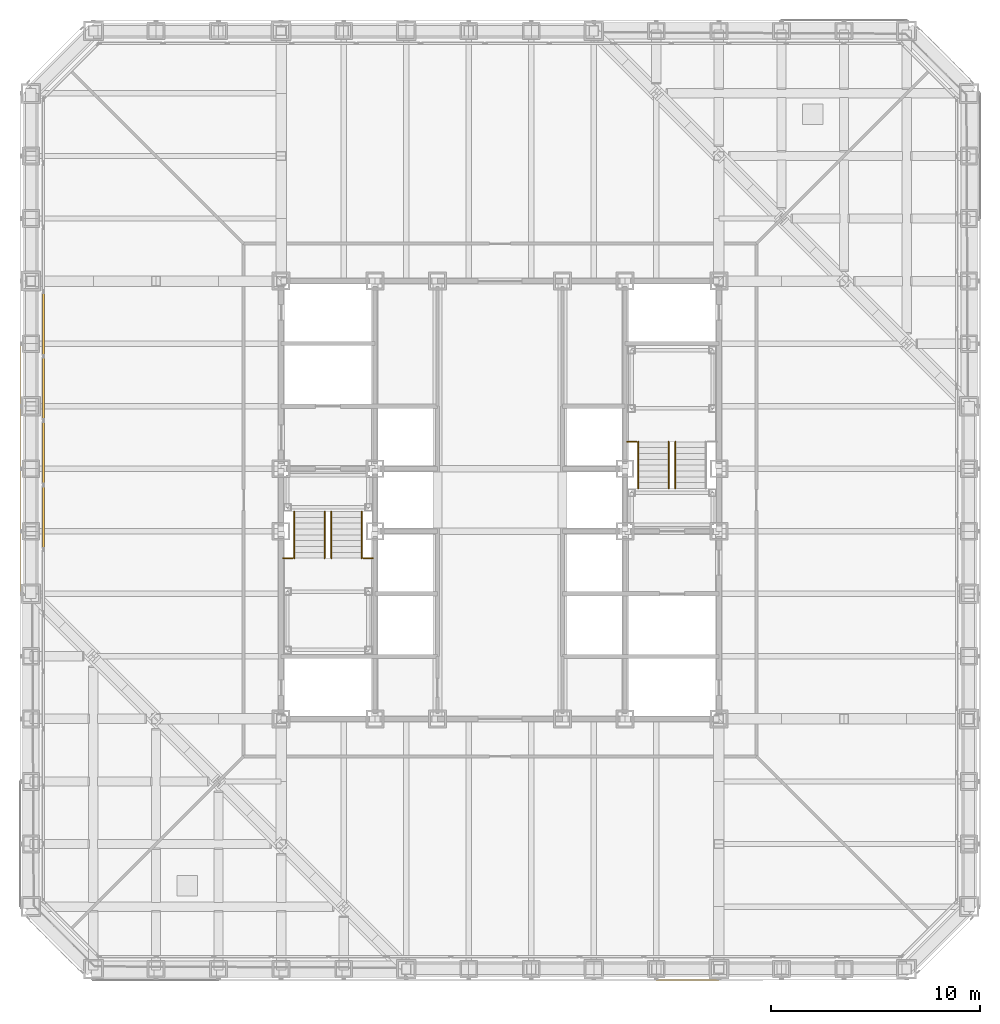
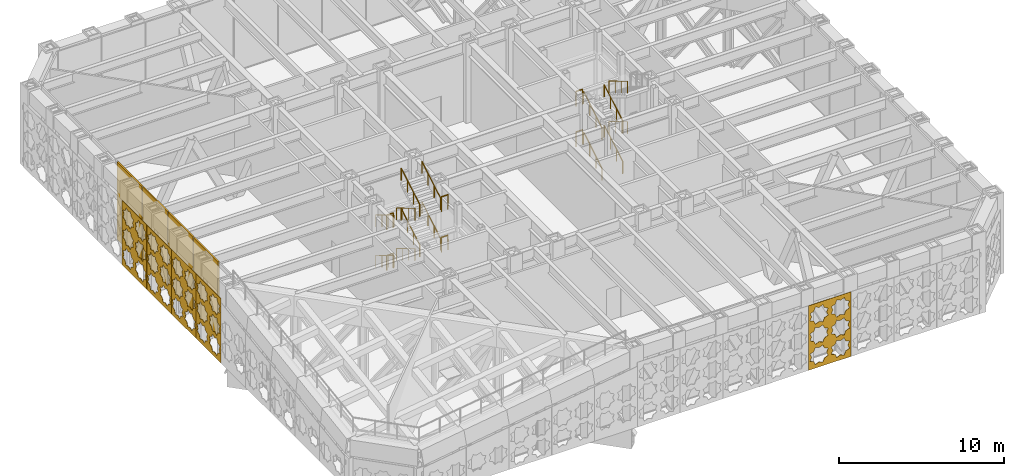
# One storey, part 25 of 31: 20 railings, 5 coverings, 4 shading devices, 1 element without a shape of its own.
"""IFC4 building model written with IfcOpenShell, lengths in metres."""

from ifc_helpers import new_model, si_unit, direction, frame, origin, origin_2d, place, context, subcontext, project, spatial, polyline, rectangle, circle, outline, extrude, material, layer, layer_set, type_object, element, aggregate, save


model = new_model("IFC4")

# Units and contexts
model_context = context("Model", 3, precision=1e-05, world=origin(), true_north=direction((0.0, 1.0)))
body_context = subcontext(model_context, "Body", "Model", "MODEL_VIEW")
ifc_project = project(units=[si_unit("LENGTHUNIT", "METRE"), si_unit("AREAUNIT", "SQUARE_METRE"), si_unit("VOLUMEUNIT", "CUBIC_METRE"), si_unit("PLANEANGLEUNIT", "RADIAN"), si_unit("MASSUNIT", "GRAM", prefix="KILO")], contexts=[model_context])

# Site, building, storey
site_placement = place(None, origin())
site = spatial("IfcSite", under=ifc_project, at=site_placement, CompositionType="ELEMENT")
building_placement = place(site_placement, origin())
building = spatial("IfcBuilding", under=site, at=building_placement, Name="Chuquiago Exchange Tower", CompositionType="ELEMENT")
storey_placement = place(building_placement, frame((0.0, 0.0, 96.300048828125)))
storey = spatial("IfcBuildingStorey", under=building, at=storey_placement, Name="L20", CompositionType="ELEMENT", Elevation=96.300048828125)

# Curtain wall, shading devices
ifc_material_1 = material(Name="Aluminium curtain wall system", Category="aluminium")
ifc_layer_1 = layer(ifc_material_1, 0.199951171875)
ifc_layer_set_1 = layer_set([ifc_layer_1], Name="CW6 plant floor louvre wall")
curtain_wall_type = type_object("IfcCurtainWallType", Name="CW6 plant floor louvre wall", PredefinedType="NOTDEFINED", material=ifc_layer_set_1)
curtain_wall_placement = place(storey_placement, origin())
curtain_wall = element("IfcCurtainWall", 1, at=curtain_wall_placement, inside=storey, type_object=curtain_wall_type, Name="CW6 curtain wall L20", PredefinedType="NOTDEFINED")
ifc_material_2 = material(Name="Aluminium louvre", Category="aluminium")
ifc_layer_2 = layer(ifc_material_2, 0.10009765625)
ifc_layer_set_2 = layer_set([ifc_layer_2], Name="CW6-P louvre panel 100")
shading_device_type = type_object("IfcShadingDeviceType", Name="CW6-P louvre panel 100", PredefinedType="USERDEFINED", material=ifc_layer_set_2)
shading_device_1_placement = place(storey_placement, frame((0.60009765625, 30.943115234375, 0.0751953125), z_axis=(0.0, 0.0, 1.0), x_axis=(0.0, -1.0, 0.0)))
shading_device_1 = element("IfcShadingDevice", 2, at=shading_device_1_placement, type_object=shading_device_type, Name="CW6 panel 4.1", ObjectType="LOUVER", PredefinedType="USERDEFINED", context=body_context, shape_type="SweptSolid", body=[
    extrude(rectangle(XDim=3.01318359375, YDim=0.10009765625, at=origin_2d()), origin(), (0.0, 0.0, 1.0), 5.764892578125),
])
shading_device_2_placement = place(storey_placement, frame((0.60009765625, 27.85498046875, 0.0751953125), z_axis=(0.0, 0.0, 1.0), x_axis=(0.0, -1.0, 0.0)))
shading_device_2 = element("IfcShadingDevice", 3, at=shading_device_2_placement, type_object=shading_device_type, Name="CW6 panel 5.1", ObjectType="LOUVER", PredefinedType="USERDEFINED", context=body_context, shape_type="SweptSolid", body=[
    extrude(rectangle(XDim=3.01318359375, YDim=0.10009765625, at=origin_2d()), origin(), (0.0, 0.0, 1.0), 5.764892578125),
])
shading_device_3_placement = place(storey_placement, frame((0.60009765625, 24.766845703125, 0.0751953125), z_axis=(0.0, 0.0, 1.0), x_axis=(0.0, -1.0, 0.0)))
shading_device_3 = element("IfcShadingDevice", 4, at=shading_device_3_placement, type_object=shading_device_type, Name="CW6 panel 6.1", ObjectType="LOUVER", PredefinedType="USERDEFINED", context=body_context, shape_type="SweptSolid", body=[
    extrude(rectangle(XDim=3.01318359375, YDim=0.10009765625, at=origin_2d()), origin(), (0.0, 0.0, 1.0), 5.764892578125),
])
shading_device_4_placement = place(storey_placement, frame((0.60009765625, 21.6787109375, 0.0751953125), z_axis=(0.0, 0.0, 1.0), x_axis=(0.0, -1.0, 0.0)))
shading_device_4 = element("IfcShadingDevice", 5, at=shading_device_4_placement, type_object=shading_device_type, Name="CW6 panel 7.1", ObjectType="LOUVER", PredefinedType="USERDEFINED", context=body_context, shape_type="SweptSolid", body=[
    extrude(rectangle(XDim=3.01318359375, YDim=0.10009765625, at=origin_2d()), origin(), (0.0, 0.0, 1.0), 5.764892578125),
])
aggregate(curtain_wall, [shading_device_1, shading_device_2, shading_device_3, shading_device_4])

# Coverings
ifc_material_3 = material(Name="Anodised aluminium, pale", Category="aluminium")
ifc_layer_3 = layer(ifc_material_3, 0.02001953125)
ifc_layer_set_3 = layer_set([ifc_layer_3], Name="GC1 girih cladding panel 20")
covering_type = type_object("IfcCoveringType", Name="GC1 girih cladding panel 20", PredefinedType="CLADDING", material=ifc_layer_set_3)
covering_1_placement = place(storey_placement, frame((30.0048828125, -0.5, 0.050048828125), z_axis=(0.0, 0.0, 1.0), x_axis=(1.0, 0.0, 0.0)))
element("IfcCovering", 6, at=covering_1_placement, inside=storey, type_object=covering_type, Name="Girih cladding panel L20 S 10", PredefinedType="CLADDING", context=body_context, shape_type="SweptSolid", body=[
    extrude(outline(polyline([(0.0, 0.0), (2.989990234375, 0.0), (2.989990234375, 4.789794921875), (0.0, 4.789794921875), (0.0, 0.0)]), holes=[polyline([(1.27392578125, 0.89990234375), (1.3828125, 1.1630859375), (1.11962890625, 1.272216796875), (1.0107421875, 1.535400390625), (0.74755859375, 1.42626953125), (0.484375, 1.535400390625), (0.375244140625, 1.272216796875), (0.112060546875, 1.1630859375), (0.22119140625, 0.89990234375), (0.112060546875, 0.63671875), (0.375244140625, 0.527587890625), (0.484375, 0.264404296875), (0.74755859375, 0.37353515625), (1.0107421875, 0.264404296875), (1.11962890625, 0.527587890625), (1.3828125, 0.63671875), (1.27392578125, 0.89990234375)]), polyline([(2.768798828125, 0.89990234375), (2.8779296875, 1.1630859375), (2.61474609375, 1.272216796875), (2.505615234375, 1.535400390625), (2.242431640625, 1.42626953125), (1.979248046875, 1.535400390625), (1.870361328125, 1.272216796875), (1.607177734375, 1.1630859375), (1.716064453125, 0.89990234375), (1.607177734375, 0.63671875), (1.870361328125, 0.527587890625), (1.979248046875, 0.264404296875), (2.242431640625, 0.37353515625), (2.505615234375, 0.264404296875), (2.61474609375, 0.527587890625), (2.8779296875, 0.63671875), (2.768798828125, 0.89990234375)]), polyline([(1.27392578125, 2.39501953125), (1.3828125, 2.658203125), (1.11962890625, 2.76708984375), (1.0107421875, 3.0302734375), (0.74755859375, 2.92138671875), (0.484375, 3.0302734375), (0.375244140625, 2.76708984375), (0.112060546875, 2.658203125), (0.22119140625, 2.39501953125), (0.112060546875, 2.131591796875), (0.375244140625, 2.022705078125), (0.484375, 1.759521484375), (0.74755859375, 1.868408203125), (1.0107421875, 1.759521484375), (1.11962890625, 2.022705078125), (1.3828125, 2.131591796875), (1.27392578125, 2.39501953125)]), polyline([(2.768798828125, 2.39501953125), (2.8779296875, 2.658203125), (2.61474609375, 2.76708984375), (2.505615234375, 3.0302734375), (2.242431640625, 2.92138671875), (1.979248046875, 3.0302734375), (1.870361328125, 2.76708984375), (1.607177734375, 2.658203125), (1.716064453125, 2.39501953125), (1.607177734375, 2.131591796875), (1.870361328125, 2.022705078125), (1.979248046875, 1.759521484375), (2.242431640625, 1.868408203125), (2.505615234375, 1.759521484375), (2.61474609375, 2.022705078125), (2.8779296875, 2.131591796875), (2.768798828125, 2.39501953125)]), polyline([(1.27392578125, 3.889892578125), (1.3828125, 4.153076171875), (1.11962890625, 4.26220703125), (1.0107421875, 4.525390625), (0.74755859375, 4.416259765625), (0.484375, 4.525390625), (0.375244140625, 4.26220703125), (0.112060546875, 4.153076171875), (0.22119140625, 3.889892578125), (0.112060546875, 3.626708984375), (0.375244140625, 3.517822265625), (0.484375, 3.25439453125), (0.74755859375, 3.363525390625), (1.0107421875, 3.25439453125), (1.11962890625, 3.517822265625), (1.3828125, 3.626708984375), (1.27392578125, 3.889892578125)]), polyline([(2.768798828125, 3.889892578125), (2.8779296875, 4.153076171875), (2.61474609375, 4.26220703125), (2.505615234375, 4.525390625), (2.242431640625, 4.416259765625), (1.979248046875, 4.525390625), (1.870361328125, 4.26220703125), (1.607177734375, 4.153076171875), (1.716064453125, 3.889892578125), (1.607177734375, 3.626708984375), (1.870361328125, 3.517822265625), (1.979248046875, 3.25439453125), (2.242431640625, 3.363525390625), (2.505615234375, 3.25439453125), (2.61474609375, 3.517822265625), (2.8779296875, 3.626708984375), (2.768798828125, 3.889892578125)])]), frame((0.0, 0.0, 0.0), z_axis=(0.0, -1.0, 0.0), x_axis=(1.0, 0.0, 0.0)), (0.0, 0.0, 1.0), 0.02001953125),
])
covering_2_placement = place(storey_placement, frame((-0.5, 29.9951171875, 0.050048828125), z_axis=(0.0, 0.0, 1.0), x_axis=(0.0, -1.0, 0.0)))
element("IfcCovering", 7, at=covering_2_placement, inside=storey, type_object=covering_type, Name="Girih cladding panel L20 W 5", PredefinedType="CLADDING", context=body_context, shape_type="SweptSolid", body=[
    extrude(outline(polyline([(0.0, 0.0), (2.989990234375, 0.0), (2.989990234375, 4.789794921875), (0.0, 4.789794921875), (0.0, 0.0)]), holes=[polyline([(1.27392578125, 0.89990234375), (1.3828125, 1.1630859375), (1.11962890625, 1.272216796875), (1.0107421875, 1.535400390625), (0.74755859375, 1.42626953125), (0.484375, 1.535400390625), (0.375244140625, 1.272216796875), (0.112060546875, 1.1630859375), (0.22119140625, 0.89990234375), (0.112060546875, 0.63671875), (0.375244140625, 0.527587890625), (0.484375, 0.264404296875), (0.74755859375, 0.37353515625), (1.0107421875, 0.264404296875), (1.11962890625, 0.527587890625), (1.3828125, 0.63671875), (1.27392578125, 0.89990234375)]), polyline([(2.768798828125, 0.89990234375), (2.8779296875, 1.1630859375), (2.61474609375, 1.272216796875), (2.505615234375, 1.535400390625), (2.242431640625, 1.42626953125), (1.979248046875, 1.535400390625), (1.870361328125, 1.272216796875), (1.607177734375, 1.1630859375), (1.716064453125, 0.89990234375), (1.607177734375, 0.63671875), (1.870361328125, 0.527587890625), (1.979248046875, 0.264404296875), (2.242431640625, 0.37353515625), (2.505615234375, 0.264404296875), (2.61474609375, 0.527587890625), (2.8779296875, 0.63671875), (2.768798828125, 0.89990234375)]), polyline([(1.27392578125, 2.39501953125), (1.3828125, 2.658203125), (1.11962890625, 2.76708984375), (1.0107421875, 3.0302734375), (0.74755859375, 2.92138671875), (0.484375, 3.0302734375), (0.375244140625, 2.76708984375), (0.112060546875, 2.658203125), (0.22119140625, 2.39501953125), (0.112060546875, 2.131591796875), (0.375244140625, 2.022705078125), (0.484375, 1.759521484375), (0.74755859375, 1.868408203125), (1.0107421875, 1.759521484375), (1.11962890625, 2.022705078125), (1.3828125, 2.131591796875), (1.27392578125, 2.39501953125)]), polyline([(2.768798828125, 2.39501953125), (2.8779296875, 2.658203125), (2.61474609375, 2.76708984375), (2.505615234375, 3.0302734375), (2.242431640625, 2.92138671875), (1.979248046875, 3.0302734375), (1.870361328125, 2.76708984375), (1.607177734375, 2.658203125), (1.716064453125, 2.39501953125), (1.607177734375, 2.131591796875), (1.870361328125, 2.022705078125), (1.979248046875, 1.759521484375), (2.242431640625, 1.868408203125), (2.505615234375, 1.759521484375), (2.61474609375, 2.022705078125), (2.8779296875, 2.131591796875), (2.768798828125, 2.39501953125)]), polyline([(1.27392578125, 3.889892578125), (1.3828125, 4.153076171875), (1.11962890625, 4.26220703125), (1.0107421875, 4.525390625), (0.74755859375, 4.416259765625), (0.484375, 4.525390625), (0.375244140625, 4.26220703125), (0.112060546875, 4.153076171875), (0.22119140625, 3.889892578125), (0.112060546875, 3.626708984375), (0.375244140625, 3.517822265625), (0.484375, 3.25439453125), (0.74755859375, 3.363525390625), (1.0107421875, 3.25439453125), (1.11962890625, 3.517822265625), (1.3828125, 3.626708984375), (1.27392578125, 3.889892578125)]), polyline([(2.768798828125, 3.889892578125), (2.8779296875, 4.153076171875), (2.61474609375, 4.26220703125), (2.505615234375, 4.525390625), (2.242431640625, 4.416259765625), (1.979248046875, 4.525390625), (1.870361328125, 4.26220703125), (1.607177734375, 4.153076171875), (1.716064453125, 3.889892578125), (1.607177734375, 3.626708984375), (1.870361328125, 3.517822265625), (1.979248046875, 3.25439453125), (2.242431640625, 3.363525390625), (2.505615234375, 3.25439453125), (2.61474609375, 3.517822265625), (2.8779296875, 3.626708984375), (2.768798828125, 3.889892578125)])]), frame((0.0, 0.0, 0.0), z_axis=(0.0, -1.0, 0.0), x_axis=(1.0, 0.0, 0.0)), (0.0, 0.0, 1.0), 0.02001953125),
])
covering_3_placement = place(storey_placement, frame((-0.5, 26.9951171875, 0.050048828125), z_axis=(0.0, 0.0, 1.0), x_axis=(0.0, -1.0, 0.0)))
element("IfcCovering", 8, at=covering_3_placement, inside=storey, type_object=covering_type, Name="Girih cladding panel L20 W 6", PredefinedType="CLADDING", context=body_context, shape_type="SweptSolid", body=[
    extrude(outline(polyline([(0.0, 0.0), (2.989990234375, 0.0), (2.989990234375, 4.789794921875), (0.0, 4.789794921875), (0.0, 0.0)]), holes=[polyline([(1.27392578125, 0.89990234375), (1.3828125, 1.1630859375), (1.11962890625, 1.272216796875), (1.0107421875, 1.535400390625), (0.74755859375, 1.42626953125), (0.484375, 1.535400390625), (0.375244140625, 1.272216796875), (0.112060546875, 1.1630859375), (0.22119140625, 0.89990234375), (0.112060546875, 0.63671875), (0.375244140625, 0.527587890625), (0.484375, 0.264404296875), (0.74755859375, 0.37353515625), (1.0107421875, 0.264404296875), (1.11962890625, 0.527587890625), (1.3828125, 0.63671875), (1.27392578125, 0.89990234375)]), polyline([(2.768798828125, 0.89990234375), (2.8779296875, 1.1630859375), (2.61474609375, 1.272216796875), (2.505615234375, 1.535400390625), (2.242431640625, 1.42626953125), (1.979248046875, 1.535400390625), (1.870361328125, 1.272216796875), (1.607177734375, 1.1630859375), (1.716064453125, 0.89990234375), (1.607177734375, 0.63671875), (1.870361328125, 0.527587890625), (1.979248046875, 0.264404296875), (2.242431640625, 0.37353515625), (2.505615234375, 0.264404296875), (2.61474609375, 0.527587890625), (2.8779296875, 0.63671875), (2.768798828125, 0.89990234375)]), polyline([(1.27392578125, 2.39501953125), (1.3828125, 2.658203125), (1.11962890625, 2.76708984375), (1.0107421875, 3.0302734375), (0.74755859375, 2.92138671875), (0.484375, 3.0302734375), (0.375244140625, 2.76708984375), (0.112060546875, 2.658203125), (0.22119140625, 2.39501953125), (0.112060546875, 2.131591796875), (0.375244140625, 2.022705078125), (0.484375, 1.759521484375), (0.74755859375, 1.868408203125), (1.0107421875, 1.759521484375), (1.11962890625, 2.022705078125), (1.3828125, 2.131591796875), (1.27392578125, 2.39501953125)]), polyline([(2.768798828125, 2.39501953125), (2.8779296875, 2.658203125), (2.61474609375, 2.76708984375), (2.505615234375, 3.0302734375), (2.242431640625, 2.92138671875), (1.979248046875, 3.0302734375), (1.870361328125, 2.76708984375), (1.607177734375, 2.658203125), (1.716064453125, 2.39501953125), (1.607177734375, 2.131591796875), (1.870361328125, 2.022705078125), (1.979248046875, 1.759521484375), (2.242431640625, 1.868408203125), (2.505615234375, 1.759521484375), (2.61474609375, 2.022705078125), (2.8779296875, 2.131591796875), (2.768798828125, 2.39501953125)]), polyline([(1.27392578125, 3.889892578125), (1.3828125, 4.153076171875), (1.11962890625, 4.26220703125), (1.0107421875, 4.525390625), (0.74755859375, 4.416259765625), (0.484375, 4.525390625), (0.375244140625, 4.26220703125), (0.112060546875, 4.153076171875), (0.22119140625, 3.889892578125), (0.112060546875, 3.626708984375), (0.375244140625, 3.517822265625), (0.484375, 3.25439453125), (0.74755859375, 3.363525390625), (1.0107421875, 3.25439453125), (1.11962890625, 3.517822265625), (1.3828125, 3.626708984375), (1.27392578125, 3.889892578125)]), polyline([(2.768798828125, 3.889892578125), (2.8779296875, 4.153076171875), (2.61474609375, 4.26220703125), (2.505615234375, 4.525390625), (2.242431640625, 4.416259765625), (1.979248046875, 4.525390625), (1.870361328125, 4.26220703125), (1.607177734375, 4.153076171875), (1.716064453125, 3.889892578125), (1.607177734375, 3.626708984375), (1.870361328125, 3.517822265625), (1.979248046875, 3.25439453125), (2.242431640625, 3.363525390625), (2.505615234375, 3.25439453125), (2.61474609375, 3.517822265625), (2.8779296875, 3.626708984375), (2.768798828125, 3.889892578125)])]), frame((0.0, 0.0, 0.0), z_axis=(0.0, -1.0, 0.0), x_axis=(1.0, 0.0, 0.0)), (0.0, 0.0, 1.0), 0.02001953125),
])
covering_4_placement = place(storey_placement, frame((-0.5, 23.9951171875, 0.050048828125), z_axis=(0.0, 0.0, 1.0), x_axis=(0.0, -1.0, 0.0)))
element("IfcCovering", 9, at=covering_4_placement, inside=storey, type_object=covering_type, Name="Girih cladding panel L20 W 7", PredefinedType="CLADDING", context=body_context, shape_type="SweptSolid", body=[
    extrude(outline(polyline([(0.0, 0.0), (2.989990234375, 0.0), (2.989990234375, 4.789794921875), (0.0, 4.789794921875), (0.0, 0.0)]), holes=[polyline([(1.27392578125, 0.89990234375), (1.3828125, 1.1630859375), (1.11962890625, 1.272216796875), (1.0107421875, 1.535400390625), (0.74755859375, 1.42626953125), (0.484375, 1.535400390625), (0.375244140625, 1.272216796875), (0.112060546875, 1.1630859375), (0.22119140625, 0.89990234375), (0.112060546875, 0.63671875), (0.375244140625, 0.527587890625), (0.484375, 0.264404296875), (0.74755859375, 0.37353515625), (1.0107421875, 0.264404296875), (1.11962890625, 0.527587890625), (1.3828125, 0.63671875), (1.27392578125, 0.89990234375)]), polyline([(2.768798828125, 0.89990234375), (2.8779296875, 1.1630859375), (2.61474609375, 1.272216796875), (2.505615234375, 1.535400390625), (2.242431640625, 1.42626953125), (1.979248046875, 1.535400390625), (1.870361328125, 1.272216796875), (1.607177734375, 1.1630859375), (1.716064453125, 0.89990234375), (1.607177734375, 0.63671875), (1.870361328125, 0.527587890625), (1.979248046875, 0.264404296875), (2.242431640625, 0.37353515625), (2.505615234375, 0.264404296875), (2.61474609375, 0.527587890625), (2.8779296875, 0.63671875), (2.768798828125, 0.89990234375)]), polyline([(1.27392578125, 2.39501953125), (1.3828125, 2.658203125), (1.11962890625, 2.76708984375), (1.0107421875, 3.0302734375), (0.74755859375, 2.92138671875), (0.484375, 3.0302734375), (0.375244140625, 2.76708984375), (0.112060546875, 2.658203125), (0.22119140625, 2.39501953125), (0.112060546875, 2.131591796875), (0.375244140625, 2.022705078125), (0.484375, 1.759521484375), (0.74755859375, 1.868408203125), (1.0107421875, 1.759521484375), (1.11962890625, 2.022705078125), (1.3828125, 2.131591796875), (1.27392578125, 2.39501953125)]), polyline([(2.768798828125, 2.39501953125), (2.8779296875, 2.658203125), (2.61474609375, 2.76708984375), (2.505615234375, 3.0302734375), (2.242431640625, 2.92138671875), (1.979248046875, 3.0302734375), (1.870361328125, 2.76708984375), (1.607177734375, 2.658203125), (1.716064453125, 2.39501953125), (1.607177734375, 2.131591796875), (1.870361328125, 2.022705078125), (1.979248046875, 1.759521484375), (2.242431640625, 1.868408203125), (2.505615234375, 1.759521484375), (2.61474609375, 2.022705078125), (2.8779296875, 2.131591796875), (2.768798828125, 2.39501953125)]), polyline([(1.27392578125, 3.889892578125), (1.3828125, 4.153076171875), (1.11962890625, 4.26220703125), (1.0107421875, 4.525390625), (0.74755859375, 4.416259765625), (0.484375, 4.525390625), (0.375244140625, 4.26220703125), (0.112060546875, 4.153076171875), (0.22119140625, 3.889892578125), (0.112060546875, 3.626708984375), (0.375244140625, 3.517822265625), (0.484375, 3.25439453125), (0.74755859375, 3.363525390625), (1.0107421875, 3.25439453125), (1.11962890625, 3.517822265625), (1.3828125, 3.626708984375), (1.27392578125, 3.889892578125)]), polyline([(2.768798828125, 3.889892578125), (2.8779296875, 4.153076171875), (2.61474609375, 4.26220703125), (2.505615234375, 4.525390625), (2.242431640625, 4.416259765625), (1.979248046875, 4.525390625), (1.870361328125, 4.26220703125), (1.607177734375, 4.153076171875), (1.716064453125, 3.889892578125), (1.607177734375, 3.626708984375), (1.870361328125, 3.517822265625), (1.979248046875, 3.25439453125), (2.242431640625, 3.363525390625), (2.505615234375, 3.25439453125), (2.61474609375, 3.517822265625), (2.8779296875, 3.626708984375), (2.768798828125, 3.889892578125)])]), frame((0.0, 0.0, 0.0), z_axis=(0.0, -1.0, 0.0), x_axis=(1.0, 0.0, 0.0)), (0.0, 0.0, 1.0), 0.02001953125),
])
covering_5_placement = place(storey_placement, frame((-0.5, 20.9951171875, 0.050048828125), z_axis=(0.0, 0.0, 1.0), x_axis=(0.0, -1.0, 0.0)))
element("IfcCovering", 10, at=covering_5_placement, inside=storey, type_object=covering_type, Name="Girih cladding panel L20 W 8", PredefinedType="CLADDING", context=body_context, shape_type="SweptSolid", body=[
    extrude(outline(polyline([(0.0, 0.0), (2.989990234375, 0.0), (2.989990234375, 4.789794921875), (0.0, 4.789794921875), (0.0, 0.0)]), holes=[polyline([(1.27392578125, 0.89990234375), (1.3828125, 1.1630859375), (1.11962890625, 1.272216796875), (1.0107421875, 1.535400390625), (0.74755859375, 1.42626953125), (0.484375, 1.535400390625), (0.375244140625, 1.272216796875), (0.112060546875, 1.1630859375), (0.22119140625, 0.89990234375), (0.112060546875, 0.63671875), (0.375244140625, 0.527587890625), (0.484375, 0.264404296875), (0.74755859375, 0.37353515625), (1.0107421875, 0.264404296875), (1.11962890625, 0.527587890625), (1.3828125, 0.63671875), (1.27392578125, 0.89990234375)]), polyline([(2.768798828125, 0.89990234375), (2.8779296875, 1.1630859375), (2.61474609375, 1.272216796875), (2.505615234375, 1.535400390625), (2.242431640625, 1.42626953125), (1.979248046875, 1.535400390625), (1.870361328125, 1.272216796875), (1.607177734375, 1.1630859375), (1.716064453125, 0.89990234375), (1.607177734375, 0.63671875), (1.870361328125, 0.527587890625), (1.979248046875, 0.264404296875), (2.242431640625, 0.37353515625), (2.505615234375, 0.264404296875), (2.61474609375, 0.527587890625), (2.8779296875, 0.63671875), (2.768798828125, 0.89990234375)]), polyline([(1.27392578125, 2.39501953125), (1.3828125, 2.658203125), (1.11962890625, 2.76708984375), (1.0107421875, 3.0302734375), (0.74755859375, 2.92138671875), (0.484375, 3.0302734375), (0.375244140625, 2.76708984375), (0.112060546875, 2.658203125), (0.22119140625, 2.39501953125), (0.112060546875, 2.131591796875), (0.375244140625, 2.022705078125), (0.484375, 1.759521484375), (0.74755859375, 1.868408203125), (1.0107421875, 1.759521484375), (1.11962890625, 2.022705078125), (1.3828125, 2.131591796875), (1.27392578125, 2.39501953125)]), polyline([(2.768798828125, 2.39501953125), (2.8779296875, 2.658203125), (2.61474609375, 2.76708984375), (2.505615234375, 3.0302734375), (2.242431640625, 2.92138671875), (1.979248046875, 3.0302734375), (1.870361328125, 2.76708984375), (1.607177734375, 2.658203125), (1.716064453125, 2.39501953125), (1.607177734375, 2.131591796875), (1.870361328125, 2.022705078125), (1.979248046875, 1.759521484375), (2.242431640625, 1.868408203125), (2.505615234375, 1.759521484375), (2.61474609375, 2.022705078125), (2.8779296875, 2.131591796875), (2.768798828125, 2.39501953125)]), polyline([(1.27392578125, 3.889892578125), (1.3828125, 4.153076171875), (1.11962890625, 4.26220703125), (1.0107421875, 4.525390625), (0.74755859375, 4.416259765625), (0.484375, 4.525390625), (0.375244140625, 4.26220703125), (0.112060546875, 4.153076171875), (0.22119140625, 3.889892578125), (0.112060546875, 3.626708984375), (0.375244140625, 3.517822265625), (0.484375, 3.25439453125), (0.74755859375, 3.363525390625), (1.0107421875, 3.25439453125), (1.11962890625, 3.517822265625), (1.3828125, 3.626708984375), (1.27392578125, 3.889892578125)]), polyline([(2.768798828125, 3.889892578125), (2.8779296875, 4.153076171875), (2.61474609375, 4.26220703125), (2.505615234375, 4.525390625), (2.242431640625, 4.416259765625), (1.979248046875, 4.525390625), (1.870361328125, 4.26220703125), (1.607177734375, 4.153076171875), (1.716064453125, 3.889892578125), (1.607177734375, 3.626708984375), (1.870361328125, 3.517822265625), (1.979248046875, 3.25439453125), (2.242431640625, 3.363525390625), (2.505615234375, 3.25439453125), (2.61474609375, 3.517822265625), (2.8779296875, 3.626708984375), (2.768798828125, 3.889892578125)])]), frame((0.0, 0.0, 0.0), z_axis=(0.0, -1.0, 0.0), x_axis=(1.0, 0.0, 0.0)), (0.0, 0.0, 1.0), 0.02001953125),
])

# Railings
ifc_material_4 = material(Name="Pale metal guard with safety glass infill", Category="glass")
railing_type_1 = type_object("IfcRailingType", Name="GR1 guard 1100", PredefinedType="GUARDRAIL", material=ifc_material_4)
for number, where, name in (
    (11, (12.10009765625, 19.7099609375, 1.5), "Guard ST1 L20 landing 2"),
    (12, (15.945068359375, 19.7099609375, 1.5), "Guard ST1 L20 landing 2"),
    (13, (12.10009765625, 19.7099609375, 4.5), "Guard ST1 L20 landing 4"),
    (14, (15.945068359375, 19.7099609375, 4.5), "Guard ST1 L20 landing 4"),
    (15, (28.60009765625, 25.2900390625, 1.5), "Guard ST2 L20 landing 2"),
    (16, (28.60009765625, 25.2900390625, 4.5), "Guard ST2 L20 landing 4"),
):
    element("IfcRailing", number, at=place(storey_placement, frame(where)), inside=storey, type_object=railing_type_1, Name=name, PredefinedType="GUARDRAIL", context=body_context, shape_type="SweptSolid", body=[
        extrude(circle(Radius=0.02392578125, at=origin_2d()), frame((0.0, 0.0, 1.076171875), z_axis=(1.0, 0.0, 0.0), x_axis=(0.0, 1.0, 0.0)), (0.0, 0.0, 1.0), 0.454833984375),
        extrude(circle(Radius=0.02099609375, at=origin_2d()), origin(), (0.0, 0.0, 1.0), 1.052001953125),
        extrude(circle(Radius=0.02099609375, at=origin_2d()), frame((0.454833984375, 0.0, 0.0)), (0.0, 0.0, 1.0), 1.052001953125),
    ])
ifc_material_5 = material(Name="Pale metal handrail", Category="steel")
railing_type_2 = type_object("IfcRailingType", Name="HR1 handrail 900", PredefinedType="HANDRAIL", material=ifc_material_5)
for number, where, name in (
    (17, (12.635009765625, 21.949951171875, 0.166748046875), "Handrail ST1 L20 flight 1"),
    (18, (14.0849609375, 21.949951171875, 0.166748046875), "Handrail ST1 L20 flight 1"),
):
    element("IfcRailing", number, at=place(storey_placement, frame(where)), inside=storey, type_object=railing_type_2, Name=name, PredefinedType="HANDRAIL", context=body_context, shape_type="SweptSolid", body=[
        extrude(circle(Radius=0.02392578125, at=origin_2d()), frame((0.0, 0.0, 0.8759765625), z_axis=(0.0, -0.859305625298, 0.511462454469), x_axis=(1.0, 0.0, 0.0)), (0.0, 0.0, 1.0), 2.606689453125),
        extrude(circle(Radius=0.02099609375, at=origin_2d()), origin(), (0.0, 0.0, 1.0), 0.851806640625),
        extrude(circle(Radius=0.02099609375, at=origin_2d()), frame((0.0, -0.74658203125, 0.4443359375)), (0.0, 0.0, 1.0), 0.851806640625),
        extrude(circle(Radius=0.02099609375, at=origin_2d()), frame((0.0, -1.493408203125, 0.888916015625)), (0.0, 0.0, 1.0), 0.851806640625),
        extrude(circle(Radius=0.02099609375, at=origin_2d()), frame((0.0, -2.239990234375, 1.333251953125)), (0.0, 0.0, 1.0), 0.851806640625),
    ])
for number, where, name in (
    (19, (15.864990234375, 19.7099609375, 1.666748046875), "Handrail ST1 L20 flight 2"),
    (20, (14.4150390625, 19.7099609375, 1.666748046875), "Handrail ST1 L20 flight 2"),
):
    element("IfcRailing", number, at=place(storey_placement, frame(where)), inside=storey, type_object=railing_type_2, Name=name, PredefinedType="HANDRAIL", context=body_context, shape_type="SweptSolid", body=[
        extrude(circle(Radius=0.02392578125, at=origin_2d()), frame((0.0, 0.0, 0.8759765625), z_axis=(0.0, 0.859305625298, 0.511462454469), x_axis=(-1.0, 0.0, 0.0)), (0.0, 0.0, 1.0), 2.606689453125),
        extrude(circle(Radius=0.02099609375, at=origin_2d()), origin(), (0.0, 0.0, 1.0), 0.851806640625),
        extrude(circle(Radius=0.02099609375, at=origin_2d()), frame((0.0, 0.74658203125, 0.4443359375)), (0.0, 0.0, 1.0), 0.851806640625),
        extrude(circle(Radius=0.02099609375, at=origin_2d()), frame((0.0, 1.493408203125, 0.888916015625)), (0.0, 0.0, 1.0), 0.851806640625),
        extrude(circle(Radius=0.02099609375, at=origin_2d()), frame((0.0, 2.239990234375, 1.333251953125)), (0.0, 0.0, 1.0), 0.851806640625),
    ])
for number, where, name in (
    (21, (12.635009765625, 21.949951171875, 3.166748046875), "Handrail ST1 L20 flight 3"),
    (22, (14.0849609375, 21.949951171875, 3.166748046875), "Handrail ST1 L20 flight 3"),
):
    element("IfcRailing", number, at=place(storey_placement, frame(where)), inside=storey, type_object=railing_type_2, Name=name, PredefinedType="HANDRAIL", context=body_context, shape_type="SweptSolid", body=[
        extrude(circle(Radius=0.02392578125, at=origin_2d()), frame((0.0, 0.0, 0.8759765625), z_axis=(0.0, -0.859305625298, 0.511462454469), x_axis=(1.0, 0.0, 0.0)), (0.0, 0.0, 1.0), 2.606689453125),
        extrude(circle(Radius=0.02099609375, at=origin_2d()), origin(), (0.0, 0.0, 1.0), 0.851806640625),
        extrude(circle(Radius=0.02099609375, at=origin_2d()), frame((0.0, -0.74658203125, 0.4443359375)), (0.0, 0.0, 1.0), 0.851806640625),
        extrude(circle(Radius=0.02099609375, at=origin_2d()), frame((0.0, -1.493408203125, 0.888916015625)), (0.0, 0.0, 1.0), 0.851806640625),
        extrude(circle(Radius=0.02099609375, at=origin_2d()), frame((0.0, -2.239990234375, 1.333251953125)), (0.0, 0.0, 1.0), 0.851806640625),
    ])
for number, where, name in (
    (23, (15.864990234375, 19.7099609375, 4.666748046875), "Handrail ST1 L20 flight 4"),
    (24, (14.4150390625, 19.7099609375, 4.666748046875), "Handrail ST1 L20 flight 4"),
    (25, (30.5849609375, 23.050048828125, 0.166748046875), "Handrail ST2 L20 flight 1"),
    (26, (29.135009765625, 23.050048828125, 0.166748046875), "Handrail ST2 L20 flight 1"),
):
    element("IfcRailing", number, at=place(storey_placement, frame(where)), inside=storey, type_object=railing_type_2, Name=name, PredefinedType="HANDRAIL", context=body_context, shape_type="SweptSolid", body=[
        extrude(circle(Radius=0.02392578125, at=origin_2d()), frame((0.0, 0.0, 0.8759765625), z_axis=(0.0, 0.859305625298, 0.511462454469), x_axis=(-1.0, 0.0, 0.0)), (0.0, 0.0, 1.0), 2.606689453125),
        extrude(circle(Radius=0.02099609375, at=origin_2d()), origin(), (0.0, 0.0, 1.0), 0.851806640625),
        extrude(circle(Radius=0.02099609375, at=origin_2d()), frame((0.0, 0.74658203125, 0.4443359375)), (0.0, 0.0, 1.0), 0.851806640625),
        extrude(circle(Radius=0.02099609375, at=origin_2d()), frame((0.0, 1.493408203125, 0.888916015625)), (0.0, 0.0, 1.0), 0.851806640625),
        extrude(circle(Radius=0.02099609375, at=origin_2d()), frame((0.0, 2.239990234375, 1.333251953125)), (0.0, 0.0, 1.0), 0.851806640625),
    ])
railing_1_placement = place(storey_placement, frame((30.9150390625, 25.2900390625, 1.666748046875)))
element("IfcRailing", 27, at=railing_1_placement, inside=storey, type_object=railing_type_2, Name="Handrail ST2 L20 flight 2", PredefinedType="HANDRAIL", context=body_context, shape_type="SweptSolid", body=[
    extrude(circle(Radius=0.02392578125, at=origin_2d()), frame((0.0, 0.0, 0.8759765625), z_axis=(0.0, -0.859305625298, 0.511462454469), x_axis=(1.0, 0.0, 0.0)), (0.0, 0.0, 1.0), 2.606689453125),
    extrude(circle(Radius=0.02099609375, at=origin_2d()), origin(), (0.0, 0.0, 1.0), 0.851806640625),
    extrude(circle(Radius=0.02099609375, at=origin_2d()), frame((0.0, -0.74658203125, 0.4443359375)), (0.0, 0.0, 1.0), 0.851806640625),
    extrude(circle(Radius=0.02099609375, at=origin_2d()), frame((0.0, -1.493408203125, 0.888916015625)), (0.0, 0.0, 1.0), 0.851806640625),
    extrude(circle(Radius=0.02099609375, at=origin_2d()), frame((0.0, -2.239990234375, 1.333251953125)), (0.0, 0.0, 1.0), 0.851806640625),
])
for number, where, name in (
    (28, (30.5849609375, 23.050048828125, 3.166748046875), "Handrail ST2 L20 flight 3"),
    (29, (29.135009765625, 23.050048828125, 3.166748046875), "Handrail ST2 L20 flight 3"),
):
    element("IfcRailing", number, at=place(storey_placement, frame(where)), inside=storey, type_object=railing_type_2, Name=name, PredefinedType="HANDRAIL", context=body_context, shape_type="SweptSolid", body=[
        extrude(circle(Radius=0.02392578125, at=origin_2d()), frame((0.0, 0.0, 0.8759765625), z_axis=(0.0, 0.859305625298, 0.511462454469), x_axis=(-1.0, 0.0, 0.0)), (0.0, 0.0, 1.0), 2.606689453125),
        extrude(circle(Radius=0.02099609375, at=origin_2d()), origin(), (0.0, 0.0, 1.0), 0.851806640625),
        extrude(circle(Radius=0.02099609375, at=origin_2d()), frame((0.0, 0.74658203125, 0.4443359375)), (0.0, 0.0, 1.0), 0.851806640625),
        extrude(circle(Radius=0.02099609375, at=origin_2d()), frame((0.0, 1.493408203125, 0.888916015625)), (0.0, 0.0, 1.0), 0.851806640625),
        extrude(circle(Radius=0.02099609375, at=origin_2d()), frame((0.0, 2.239990234375, 1.333251953125)), (0.0, 0.0, 1.0), 0.851806640625),
    ])
railing_2_placement = place(storey_placement, frame((30.9150390625, 25.2900390625, 4.666748046875)))
element("IfcRailing", 30, at=railing_2_placement, inside=storey, type_object=railing_type_2, Name="Handrail ST2 L20 flight 4", PredefinedType="HANDRAIL", context=body_context, shape_type="SweptSolid", body=[
    extrude(circle(Radius=0.02392578125, at=origin_2d()), frame((0.0, 0.0, 0.8759765625), z_axis=(0.0, -0.859305625298, 0.511462454469), x_axis=(1.0, 0.0, 0.0)), (0.0, 0.0, 1.0), 2.606689453125),
    extrude(circle(Radius=0.02099609375, at=origin_2d()), origin(), (0.0, 0.0, 1.0), 0.851806640625),
    extrude(circle(Radius=0.02099609375, at=origin_2d()), frame((0.0, -0.74658203125, 0.4443359375)), (0.0, 0.0, 1.0), 0.851806640625),
    extrude(circle(Radius=0.02099609375, at=origin_2d()), frame((0.0, -1.493408203125, 0.888916015625)), (0.0, 0.0, 1.0), 0.851806640625),
    extrude(circle(Radius=0.02099609375, at=origin_2d()), frame((0.0, -2.239990234375, 1.333251953125)), (0.0, 0.0, 1.0), 0.851806640625),
])

save(model, "model.ifc")
